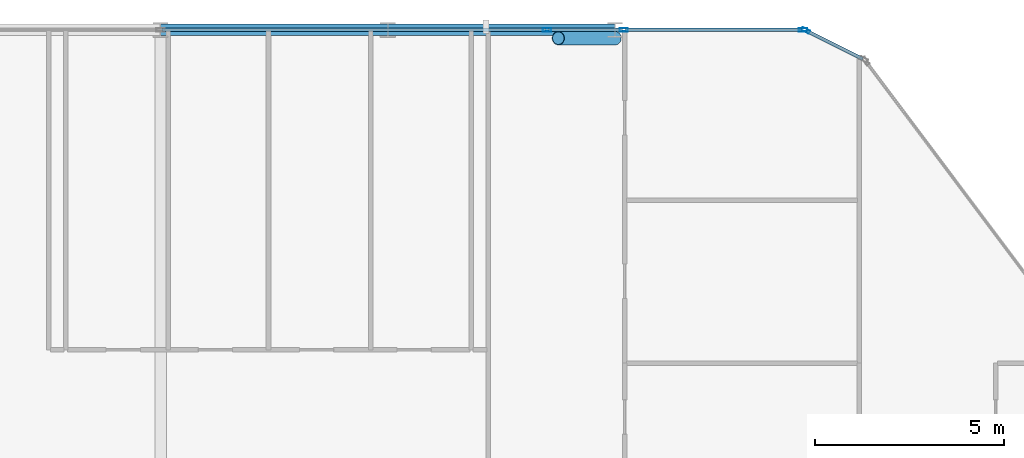
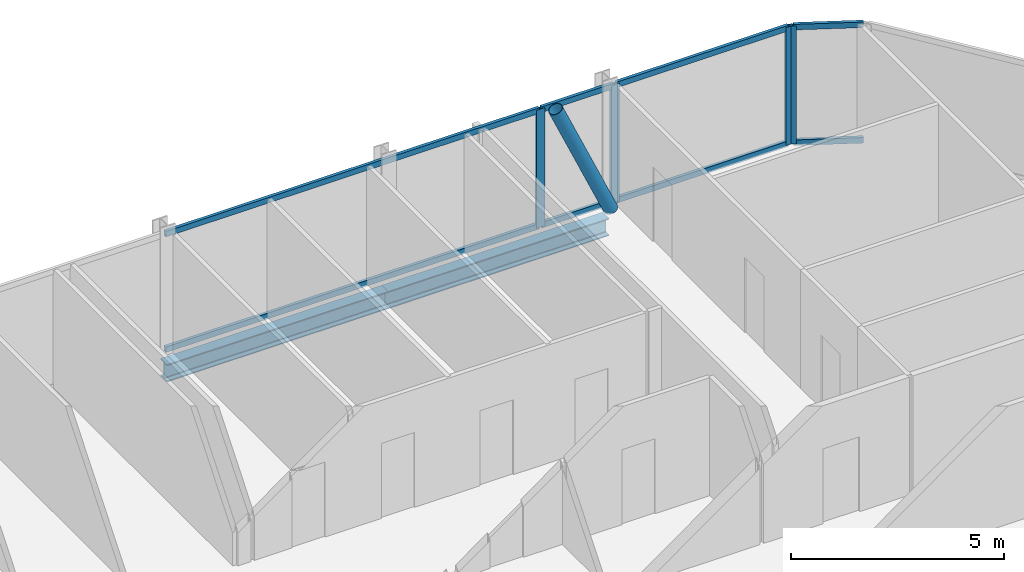
# One storey, part 16 of 34: 13 members, 2 beams, 4 elements without a shape of their own.
"""IFC4 building model written with IfcOpenShell, lengths in metres."""

import ifcopenshell
import ifcopenshell.guid

model = None  # the IFC model being written
_history = None  # IfcOwnerHistory: only IFC2X3 demands one
_inside = {}  # id of a spatial element -> (the spatial element, [elements in it])
_under = {}  # id of a project, library or spatial element -> (it, [spatial elements below it])
_declared = {}  # id of a project -> (the project, [libraries it declares])
_typed = {}  # id of a type object -> (the type object, [elements of that type])
_made_of = {}  # id of a material, layer set ... -> (it, [elements and type objects made of it])


def new_model(schema):
    """Start an empty IFC model of exactly this schema.

    Asked for "IFC4X3", IfcOpenShell would pick the latest addendum, in which some entities
    have other attributes; the version numbers below select the first issue.
    IFC2X3 requires an IfcOwnerHistory on every rooted entity: one is made here for all.
    """
    global model, _history
    if schema == "IFC4X3":
        model = ifcopenshell.file(schema_version=(4, 3, 0, 0))
    else:
        model = ifcopenshell.file(schema=schema)
    _inside.clear()
    _under.clear()
    _declared.clear()
    _typed.clear()
    _made_of.clear()
    _history = None
    if model.schema == "IFC2X3":
        org = make("IfcOrganization", Name="unknown")
        user = make(
            "IfcPersonAndOrganization",
            ThePerson=make("IfcPerson", FamilyName="unknown"),
            TheOrganization=org,
        )
        app = make(
            "IfcApplication",
            ApplicationDeveloper=org,
            Version="unknown",
            ApplicationFullName="unknown",
            ApplicationIdentifier="unknown",
        )
        _history = make(
            "IfcOwnerHistory",
            OwningUser=user,
            OwningApplication=app,
            ChangeAction="ADDED",
            CreationDate=0,
        )
    return model


def make(cls, **values):
    """One entity of the class cls with the attributes given. An attribute that is None is left unset."""
    return model.create_entity(
        cls, **{name: value for name, value in values.items() if value is not None}
    )


def rooted(cls, **values):
    """An entity with a GlobalId (a new one), such as an element, a storey or a relation."""
    return make(cls, GlobalId=ifcopenshell.guid.new(), OwnerHistory=_history, **values)


def si_unit(unit_type, name, prefix=None):
    """IfcSIUnit, for example si_unit("LENGTHUNIT", "METRE", prefix="MILLI")."""
    return make("IfcSIUnit", UnitType=unit_type, Prefix=prefix, Name=name)


def assignment(units):
    """IfcUnitAssignment: the units of a project."""
    return None if units is None else make("IfcUnitAssignment", Units=units)


def point(xyz):
    """IfcCartesianPoint."""
    return None if xyz is None else make("IfcCartesianPoint", Coordinates=xyz)


def direction(xyz):
    """IfcDirection."""
    return None if xyz is None else make("IfcDirection", DirectionRatios=xyz)


def frame(location, z_axis=None, x_axis=None):
    """IfcAxis2Placement3D, a coordinate frame: its origin and axes. An axis left out is left unset."""
    return make(
        "IfcAxis2Placement3D",
        Location=point(location),
        Axis=direction(z_axis),
        RefDirection=direction(x_axis),
    )


def frame_2d(location, x_axis=None):
    """IfcAxis2Placement2D, a coordinate frame in the plane: its origin and x axis."""
    return make(
        "IfcAxis2Placement2D", Location=point(location), RefDirection=direction(x_axis)
    )


def origin():
    """The frame at (0, 0, 0) with its axes left unset."""
    return frame((0.0, 0.0, 0.0))


def origin_2d():
    """The frame at (0, 0) in the plane with its x axis left unset."""
    return frame_2d((0.0, 0.0))


def place(relative_to, where):
    """IfcLocalPlacement: puts the frame where relative to a parent placement (None: the world)."""
    return make(
        "IfcLocalPlacement", PlacementRelTo=relative_to, RelativePlacement=where
    )


def context(
    kind, dimensions, precision=None, world=None, true_north=None, identifier=None
):
    """IfcGeometricRepresentationContext, for example the 3D "Model" context."""
    return make(
        "IfcGeometricRepresentationContext",
        ContextIdentifier=identifier,
        ContextType=kind,
        CoordinateSpaceDimension=dimensions,
        Precision=precision,
        WorldCoordinateSystem=world,
        TrueNorth=true_north,
    )


def subcontext(parent, identifier, kind, view, scale=None):
    """IfcGeometricRepresentationSubContext, for example "Body" below "Model"."""
    return make(
        "IfcGeometricRepresentationSubContext",
        ContextIdentifier=identifier,
        ContextType=kind,
        ParentContext=parent,
        TargetScale=scale,
        TargetView=view,
    )


def project(units=None, contexts=None):
    """IfcProject with its units and contexts."""
    return rooted(
        "IfcProject",
        Name="project",
        RepresentationContexts=contexts,
        UnitsInContext=assignment(units),
    )


def spatial(cls, under=None, at=None, **own):
    """A site, building, storey or space (cls), placed at a placement, below another one or the project."""
    s = rooted(cls, ObjectPlacement=at, **own)
    if under is not None:
        _under.setdefault(under.id(), (under, []))[1].append(s)
    return s


def profile(cls, at=None, kind="AREA", **sizes):
    """A parametric profile (cls). Its sizes go by their IFC names, for example OverallWidth=200.0."""
    return make(cls, ProfileType=kind, Position=at, **sizes)


def hollow_rectangle(**sizes):
    """IfcRectangleHollowProfileDef."""
    return profile("IfcRectangleHollowProfileDef", **sizes)


def hollow_circle(**sizes):
    """IfcCircleHollowProfileDef."""
    return profile("IfcCircleHollowProfileDef", **sizes)


def i_section(**sizes):
    """IfcIShapeProfileDef."""
    return profile("IfcIShapeProfileDef", **sizes)


def extrude(swept, where, along, depth):
    """IfcExtrudedAreaSolid: the profile swept, set in the frame where, extruded along a direction by depth."""
    return make(
        "IfcExtrudedAreaSolid",
        SweptArea=swept,
        Position=where,
        ExtrudedDirection=direction(along),
        Depth=depth,
    )


def shape(context_of_items, identifier, shape_type, items):
    """IfcShapeRepresentation: the items that make up one representation, for example the "Body"."""
    return make(
        "IfcShapeRepresentation",
        ContextOfItems=context_of_items,
        RepresentationIdentifier=identifier,
        RepresentationType=shape_type,
        Items=items,
    )


def material(Name=None, Category=None):
    """IfcMaterial."""
    return make("IfcMaterial", Name=Name, Category=Category)


def layer(
    of_material, thickness, ventilated=None, Name=None, Category=None, Priority=None
):
    """IfcMaterialLayer: one layer of a wall or slab, of a material (None: an air gap)."""
    return make(
        "IfcMaterialLayer",
        Material=of_material,
        LayerThickness=thickness,
        IsVentilated=ventilated,
        Name=Name,
        Category=Category,
        Priority=Priority,
    )


def layer_set(layers, Name=None):
    """IfcMaterialLayerSet."""
    return make("IfcMaterialLayerSet", MaterialLayers=layers, LayerSetName=Name)


def material_profile(
    of_material, cross_section, Name=None, Category=None, Priority=None
):
    """IfcMaterialProfile: a cross section and its material."""
    return make(
        "IfcMaterialProfile",
        Name=Name,
        Material=of_material,
        Profile=cross_section,
        Priority=Priority,
        Category=Category,
    )


def profile_set(profiles, Name=None, composite=None):
    """IfcMaterialProfileSet."""
    return make(
        "IfcMaterialProfileSet",
        Name=Name,
        MaterialProfiles=profiles,
        CompositeProfile=composite,
    )


def made_of(thing, what):
    """Note that an element or type object is made of a material, layer set ...; save() writes the relation."""
    if what is not None:
        _made_of.setdefault(what.id(), (what, []))[1].append(thing)
    return thing


def type_object(cls, material=None, **own):
    """A type object (cls), such as IfcWallType, which elements share."""
    return made_of(rooted(cls, **own), material)


def element(
    cls,
    number,
    at=None,
    inside=None,
    cuts=None,
    type_object=None,
    material=None,
    context=None,
    identifier="Body",
    shape_type=None,
    held_by="IfcProductDefinitionShape",
    body=None,
    shapes=None,
    **own,
):
    """One element of the class cls, such as IfcWall. Its Tag is "e" and its number.

    at: its placement. inside: the storey or other place that contains it. cuts: it is an
    opening in that element (IfcRelVoidsElement). A single representation is given by context,
    identifier, shape_type and body (its items); several are given by shapes. held_by: the class
    of the entity that holds the representations. save() writes the other relations.
    """
    e = rooted(cls, Tag="e%d" % number, ObjectPlacement=at, **own)
    if body is not None:
        shapes = [shape(context, identifier, shape_type, body)]
    if shapes is not None:
        e.Representation = make(held_by, Representations=shapes)
    if inside is not None:
        _inside.setdefault(inside.id(), (inside, []))[1].append(e)
    if cuts is not None:
        rooted(
            "IfcRelVoidsElement", RelatingBuildingElement=cuts, RelatedOpeningElement=e
        )
    if type_object is not None:
        _typed.setdefault(type_object.id(), (type_object, []))[1].append(e)
    return made_of(e, material)


def aggregate(whole, parts):
    """IfcRelAggregates: a whole, such as a stair, and the parts it consists of."""
    return rooted("IfcRelAggregates", RelatingObject=whole, RelatedObjects=parts)


def save(model, path):
    """Write the relations noted so far, then the file.

    IfcRelAggregates (storeys below a building ...), IfcRelContainedInSpatialStructure (elements
    in a storey), IfcRelDefinesByType, IfcRelAssociatesMaterial and IfcRelDeclares: one each for
    every whole, place, type object, material and project.
    """
    for whole, parts in _under.values():
        aggregate(whole, parts)
    for where, things in _inside.values():
        rooted(
            "IfcRelContainedInSpatialStructure",
            RelatedElements=things,
            RelatingStructure=where,
        )
    for kind, things in _typed.values():
        rooted("IfcRelDefinesByType", RelatedObjects=things, RelatingType=kind)
    for what, things in _made_of.values():
        rooted("IfcRelAssociatesMaterial", RelatedObjects=things, RelatingMaterial=what)
    for by, libraries in _declared.values():
        rooted("IfcRelDeclares", RelatingContext=by, RelatedDefinitions=libraries)
    model.write(path)


model = new_model("IFC4")

# Units and contexts
model_context = context("Model", 3, precision=1e-05, world=origin(), true_north=direction((0.0, 1.0)))
body_context = subcontext(model_context, "Body", "Model", "MODEL_VIEW")
ifc_project = project(units=[si_unit("LENGTHUNIT", "METRE"), si_unit("AREAUNIT", "SQUARE_METRE"), si_unit("VOLUMEUNIT", "CUBIC_METRE"), si_unit("PLANEANGLEUNIT", "RADIAN"), si_unit("MASSUNIT", "GRAM", prefix="KILO")], contexts=[model_context])

# Site, building, storey
site_placement = place(None, origin())
site = spatial("IfcSite", under=ifc_project, at=site_placement, CompositionType="ELEMENT")
building_placement = place(site_placement, origin())
building = spatial("IfcBuilding", under=site, at=building_placement, Name="Keshet Zoharim Tower", CompositionType="ELEMENT")
storey_placement = place(building_placement, frame((0.0, 0.0, 70.10009765625)))
storey = spatial("IfcBuildingStorey", under=building, at=storey_placement, Name="L16", CompositionType="ELEMENT", Elevation=70.10009765625)

# Beams
ifc_material_1 = material(Name="Steel S355", Category="steel")
ifc_material_profile_1 = material_profile(ifc_material_1, i_section(OverallWidth=0.300048828125, OverallDepth=0.5, WebThickness=0.014404296875, FlangeThickness=0.028076171875, FilletRadius=0.027099609375, at=origin_2d()), Name="HEB500")
ifc_profile_set_1 = profile_set([ifc_material_profile_1], Name="Steel S355")
beam_type = type_object("IfcBeamType", Name="BM-WEB-HB500", PredefinedType="BEAM", material=ifc_profile_set_1)
for number, where, z_axis, x_axis, name in (
    (1, (33.0, 53.89990234375, -0.565185546875), (1.0, 0.0, 0.0), (0.0, 1.0, 0.0), "L16 Primary Girder X-031"),
    (2, (39.0, 53.89990234375, -0.565185546875), (1.0, 0.0, 0.0), (0.0, 1.0, 0.0), "L16 Primary Girder X-032"),
):
    element("IfcBeam", number, at=place(storey_placement, frame(where, z_axis=z_axis, x_axis=x_axis)), inside=storey, type_object=beam_type, Name=name, PredefinedType="BEAM", context=body_context, shape_type="SweptSolid", body=[
        extrude(i_section(OverallWidth=0.300048828125, OverallDepth=0.5, WebThickness=0.014404296875, FlangeThickness=0.028076171875, FilletRadius=0.027099609375, at=origin_2d()), origin(), (0.0, 0.0, 1.0), 6.0),
    ])

# Curtain wall, member
ifc_material_2 = material(Name="Aluminium 6063-T6", Category="aluminium")
ifc_layer = layer(ifc_material_2, 0.169921875)
ifc_layer_set = layer_set([ifc_layer], Name="Aluminium 6063-T6")
curtain_wall_type = type_object("IfcCurtainWallType", Name="CW-SYS-02", PredefinedType="NOTDEFINED", material=ifc_layer_set)
curtain_wall_1_placement = place(storey_placement, origin())
curtain_wall_1 = element("IfcCurtainWall", 3, at=curtain_wall_1_placement, inside=storey, type_object=curtain_wall_type, Name="L16 Unitised Curtain Wall 07 Part 3", PredefinedType="NOTDEFINED")
ifc_material_profile_2 = material_profile(ifc_material_2, hollow_rectangle(XDim=0.090087890625, YDim=0.219970703125, WallThickness=0.0048828125, at=origin_2d()), Name="MUL-90x220")
ifc_profile_set_2 = profile_set([ifc_material_profile_2], Name="Aluminium 6063-T6")
member_type_1 = type_object("IfcMemberType", Name="CWM-M22", PredefinedType="MULLION", material=ifc_profile_set_2)
member_1_placement = place(storey_placement, frame((43.202392578125, 53.89990234375, 0.0), z_axis=(0.0, 0.0, 1.0), x_axis=(0.0, 1.0, 0.0)))
member_1 = element("IfcMember", 4, at=member_1_placement, type_object=member_type_1, Name="CW-02 mullion 3", PredefinedType="MULLION", context=body_context, shape_type="SweptSolid", body=[
    extrude(hollow_rectangle(XDim=0.090087890625, YDim=0.219970703125, WallThickness=0.0048828125, at=origin_2d()), origin(), (0.0, 0.0, 1.0), 3.385009765625),
])

curtain_wall_2_placement = place(storey_placement, origin())
curtain_wall_2 = element("IfcCurtainWall", 5, at=curtain_wall_2_placement, inside=storey, type_object=curtain_wall_type, Name="L16 Unitised Curtain Wall 07 Part 4", PredefinedType="NOTDEFINED")
member_2_placement = place(storey_placement, frame((45.2275390625, 53.89990234375, 0.0), z_axis=(0.0, 0.0, 1.0), x_axis=(0.0, 1.0, 0.0)))
member_2 = element("IfcMember", 6, at=member_2_placement, type_object=member_type_1, Name="CW-02 mullion 2", PredefinedType="MULLION", context=body_context, shape_type="SweptSolid", body=[
    extrude(hollow_rectangle(XDim=0.090087890625, YDim=0.219970703125, WallThickness=0.0048828125, at=origin_2d()), origin(), (0.0, 0.0, 1.0), 3.385009765625),
])

curtain_wall_3_placement = place(storey_placement, origin())
curtain_wall_3 = element("IfcCurtainWall", 7, at=curtain_wall_3_placement, inside=storey, type_object=curtain_wall_type, Name="L16 Unitised Curtain Wall 07 Part 5", PredefinedType="NOTDEFINED")
member_3_placement = place(storey_placement, frame((49.965087890625, 53.89990234375, 0.0), z_axis=(0.0, 0.0, 1.0), x_axis=(0.0, 1.0, 0.0)))
member_3 = element("IfcMember", 8, at=member_3_placement, type_object=member_type_1, Name="CW-02 mullion 2", PredefinedType="MULLION", context=body_context, shape_type="SweptSolid", body=[
    extrude(hollow_rectangle(XDim=0.090087890625, YDim=0.219970703125, WallThickness=0.0048828125, at=origin_2d()), origin(), (0.0, 0.0, 1.0), 3.385009765625),
])

curtain_wall_4_placement = place(storey_placement, origin())
curtain_wall_4 = element("IfcCurtainWall", 9, at=curtain_wall_4_placement, inside=storey, type_object=curtain_wall_type, Name="L16 Unitised Curtain Wall 08", PredefinedType="NOTDEFINED")
member_4_placement = place(storey_placement, frame((50.03125, 53.88427734375, 0.0), z_axis=(0.0, 0.0, 1.0), x_axis=(0.447213595499, 0.894427191001, 0.0)))
member_4 = element("IfcMember", 10, at=member_4_placement, type_object=member_type_1, Name="CW-02 mullion 1", PredefinedType="MULLION", context=body_context, shape_type="SweptSolid", body=[
    extrude(hollow_rectangle(XDim=0.090087890625, YDim=0.219970703125, WallThickness=0.0048828125, at=origin_2d()), origin(), (0.0, 0.0, 1.0), 3.385009765625),
])

# Member
ifc_material_profile_3 = material_profile(ifc_material_2, hollow_rectangle(XDim=0.0849609375, YDim=0.159912109375, WallThickness=0.00439453125, at=origin_2d()), Name="TRN-85x160")
ifc_profile_set_3 = profile_set([ifc_material_profile_3], Name="Aluminium 6063-T6")
member_type_2 = type_object("IfcMemberType", Name="CWT-T16", PredefinedType="USERDEFINED", material=ifc_profile_set_3)
member_5_placement = place(storey_placement, frame((33.034912109375, 53.89990234375, 0.034912109375), z_axis=(1.0, 0.0, 0.0), x_axis=(0.0, 1.0, 0.0)))
member_5 = element("IfcMember", 11, at=member_5_placement, type_object=member_type_2, Name="CW-02 transom 2.1", ObjectType="TRANSOM", PredefinedType="USERDEFINED", context=body_context, shape_type="SweptSolid", body=[
    extrude(hollow_rectangle(XDim=0.0849609375, YDim=0.159912109375, WallThickness=0.00439453125, at=origin_2d()), origin(), (0.0, 0.0, 1.0), 10.132568359375),
])

member_6_placement = place(storey_placement, frame((33.034912109375, 53.89990234375, 3.349853515625), z_axis=(1.0, 0.0, 0.0), x_axis=(0.0, 1.0, 0.0)))
member_6 = element("IfcMember", 12, at=member_6_placement, type_object=member_type_2, Name="CW-02 transom 2.2", ObjectType="TRANSOM", PredefinedType="USERDEFINED", context=body_context, shape_type="SweptSolid", body=[
    extrude(hollow_rectangle(XDim=0.0849609375, YDim=0.159912109375, WallThickness=0.00439453125, at=origin_2d()), origin(), (0.0, 0.0, 1.0), 10.132568359375),
])

aggregate(curtain_wall_1, [member_1, member_5, member_6])

member_7_placement = place(storey_placement, frame((43.2373046875, 53.89990234375, 0.034912109375), z_axis=(1.0, 0.0, 0.0), x_axis=(0.0, 1.0, 0.0)))
member_7 = element("IfcMember", 13, at=member_7_placement, type_object=member_type_2, Name="CW-02 transom 1.1", ObjectType="TRANSOM", PredefinedType="USERDEFINED", context=body_context, shape_type="SweptSolid", body=[
    extrude(hollow_rectangle(XDim=0.0849609375, YDim=0.159912109375, WallThickness=0.00439453125, at=origin_2d()), origin(), (0.0, 0.0, 1.0), 1.955322265625),
])

member_8_placement = place(storey_placement, frame((43.2373046875, 53.89990234375, 3.349853515625), z_axis=(1.0, 0.0, 0.0), x_axis=(0.0, 1.0, 0.0)))
member_8 = element("IfcMember", 14, at=member_8_placement, type_object=member_type_2, Name="CW-02 transom 1.2", ObjectType="TRANSOM", PredefinedType="USERDEFINED", context=body_context, shape_type="SweptSolid", body=[
    extrude(hollow_rectangle(XDim=0.0849609375, YDim=0.159912109375, WallThickness=0.00439453125, at=origin_2d()), origin(), (0.0, 0.0, 1.0), 1.955322265625),
])

aggregate(curtain_wall_2, [member_2, member_7, member_8])

member_9_placement = place(storey_placement, frame((45.2626953125, 53.89990234375, 0.034912109375), z_axis=(1.0, 0.0, 0.0), x_axis=(0.0, 1.0, 0.0)))
member_9 = element("IfcMember", 15, at=member_9_placement, type_object=member_type_2, Name="CW-02 transom 1.1", ObjectType="TRANSOM", PredefinedType="USERDEFINED", context=body_context, shape_type="SweptSolid", body=[
    extrude(hollow_rectangle(XDim=0.0849609375, YDim=0.159912109375, WallThickness=0.00439453125, at=origin_2d()), origin(), (0.0, 0.0, 1.0), 4.667236328125),
])

member_10_placement = place(storey_placement, frame((45.2626953125, 53.89990234375, 3.349853515625), z_axis=(1.0, 0.0, 0.0), x_axis=(0.0, 1.0, 0.0)))
member_10 = element("IfcMember", 16, at=member_10_placement, type_object=member_type_2, Name="CW-02 transom 1.2", ObjectType="TRANSOM", PredefinedType="USERDEFINED", context=body_context, shape_type="SweptSolid", body=[
    extrude(hollow_rectangle(XDim=0.0849609375, YDim=0.159912109375, WallThickness=0.00439453125, at=origin_2d()), origin(), (0.0, 0.0, 1.0), 4.667236328125),
])

aggregate(curtain_wall_3, [member_3, member_9, member_10])

member_11_placement = place(storey_placement, frame((50.0625, 53.86865234375, 0.034912109375), z_axis=(0.894456801911, -0.447154368775, 0.0), x_axis=(0.447154368775, 0.894456801911, 0.0)))
member_11 = element("IfcMember", 17, at=member_11_placement, type_object=member_type_2, Name="CW-02 transom 1.1", ObjectType="TRANSOM", PredefinedType="USERDEFINED", context=body_context, shape_type="SweptSolid", body=[
    extrude(hollow_rectangle(XDim=0.0849609375, YDim=0.159912109375, WallThickness=0.00439453125, at=origin_2d()), origin(), (0.0, 0.0, 1.0), 1.64892578125),
])

member_12_placement = place(storey_placement, frame((50.0625, 53.86865234375, 3.349853515625), z_axis=(0.894456801911, -0.447154368775, 0.0), x_axis=(0.447154368775, 0.894456801911, 0.0)))
member_12 = element("IfcMember", 18, at=member_12_placement, type_object=member_type_2, Name="CW-02 transom 1.2", ObjectType="TRANSOM", PredefinedType="USERDEFINED", context=body_context, shape_type="SweptSolid", body=[
    extrude(hollow_rectangle(XDim=0.0849609375, YDim=0.159912109375, WallThickness=0.00439453125, at=origin_2d()), origin(), (0.0, 0.0, 1.0), 1.64892578125),
])

aggregate(curtain_wall_4, [member_4, member_11, member_12])

ifc_material_profile_4 = material_profile(ifc_material_1, hollow_circle(Radius=0.177734375, WallThickness=0.012451171875, at=origin_2d()), Name="CHS355x12.5")
ifc_profile_set_4 = profile_set([ifc_material_profile_4], Name="Steel S355")
member_type_3 = type_object("IfcMemberType", Name="MB-BR-C355", PredefinedType="BRACE", material=ifc_profile_set_4)
member_13_placement = place(storey_placement, frame((45.0, 53.679931640625, 0.0), z_axis=(-0.405134846829, 0.0, 0.91425694194), x_axis=(0.0, -1.0, 0.0)))
element("IfcMember", 19, at=member_13_placement, inside=storey, type_object=member_type_3, Name="L16 Perimeter Tube Brace 04", PredefinedType="BRACE", context=body_context, shape_type="SweptSolid", body=[
    extrude(hollow_circle(Radius=0.177734375, WallThickness=0.012451171875, at=origin_2d()), origin(), (0.0, 0.0, 1.0), 3.702392578125),
])

save(model, "model.ifc")
